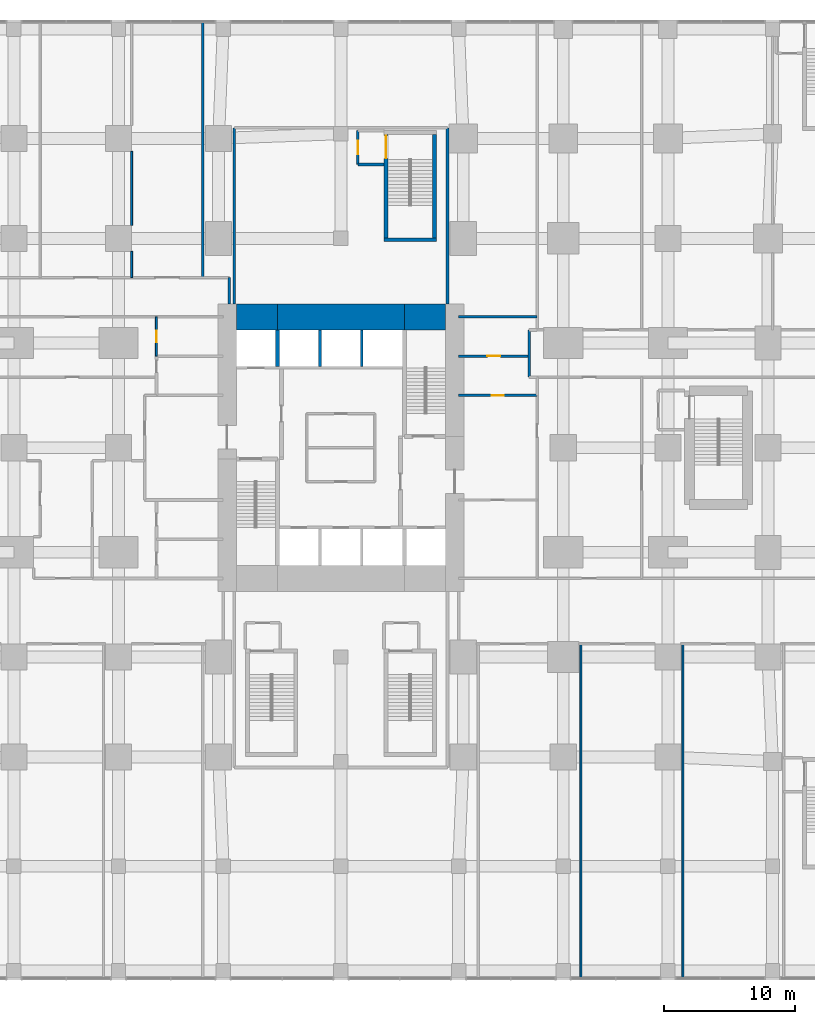
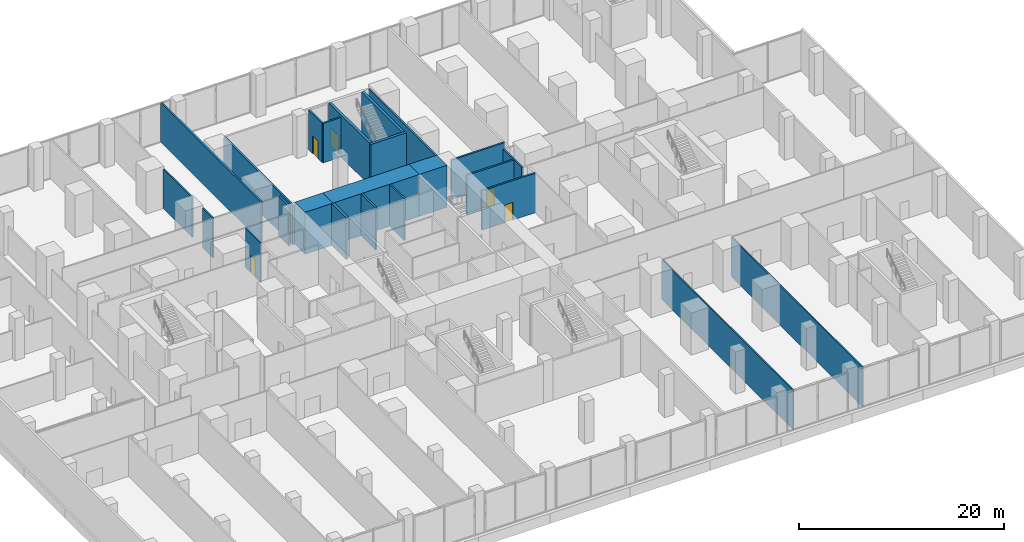
# One storey, part 15 of 22: 24 walls, 5 doors, 5 openings.
"""IFC4 building model written with IfcOpenShell, lengths in metres."""

import ifcopenshell
import ifcopenshell.guid

model = None  # the IFC model being written
_history = None  # IfcOwnerHistory: only IFC2X3 demands one
_inside = {}  # id of a spatial element -> (the spatial element, [elements in it])
_under = {}  # id of a project, library or spatial element -> (it, [spatial elements below it])
_declared = {}  # id of a project -> (the project, [libraries it declares])
_typed = {}  # id of a type object -> (the type object, [elements of that type])
_made_of = {}  # id of a material, layer set ... -> (it, [elements and type objects made of it])


def new_model(schema):
    """Start an empty IFC model of exactly this schema.

    Asked for "IFC4X3", IfcOpenShell would pick the latest addendum, in which some entities
    have other attributes; the version numbers below select the first issue.
    IFC2X3 requires an IfcOwnerHistory on every rooted entity: one is made here for all.
    """
    global model, _history
    if schema == "IFC4X3":
        model = ifcopenshell.file(schema_version=(4, 3, 0, 0))
    else:
        model = ifcopenshell.file(schema=schema)
    _inside.clear()
    _under.clear()
    _declared.clear()
    _typed.clear()
    _made_of.clear()
    _history = None
    if model.schema == "IFC2X3":
        org = make("IfcOrganization", Name="unknown")
        user = make(
            "IfcPersonAndOrganization",
            ThePerson=make("IfcPerson", FamilyName="unknown"),
            TheOrganization=org,
        )
        app = make(
            "IfcApplication",
            ApplicationDeveloper=org,
            Version="unknown",
            ApplicationFullName="unknown",
            ApplicationIdentifier="unknown",
        )
        _history = make(
            "IfcOwnerHistory",
            OwningUser=user,
            OwningApplication=app,
            ChangeAction="ADDED",
            CreationDate=0,
        )
    return model


def make(cls, **values):
    """One entity of the class cls with the attributes given. An attribute that is None is left unset."""
    return model.create_entity(
        cls, **{name: value for name, value in values.items() if value is not None}
    )


def rooted(cls, **values):
    """An entity with a GlobalId (a new one), such as an element, a storey or a relation."""
    return make(cls, GlobalId=ifcopenshell.guid.new(), OwnerHistory=_history, **values)


def si_unit(unit_type, name, prefix=None):
    """IfcSIUnit, for example si_unit("LENGTHUNIT", "METRE", prefix="MILLI")."""
    return make("IfcSIUnit", UnitType=unit_type, Prefix=prefix, Name=name)


def assignment(units):
    """IfcUnitAssignment: the units of a project."""
    return None if units is None else make("IfcUnitAssignment", Units=units)


def point(xyz):
    """IfcCartesianPoint."""
    return None if xyz is None else make("IfcCartesianPoint", Coordinates=xyz)


def direction(xyz):
    """IfcDirection."""
    return None if xyz is None else make("IfcDirection", DirectionRatios=xyz)


def frame(location, z_axis=None, x_axis=None):
    """IfcAxis2Placement3D, a coordinate frame: its origin and axes. An axis left out is left unset."""
    return make(
        "IfcAxis2Placement3D",
        Location=point(location),
        Axis=direction(z_axis),
        RefDirection=direction(x_axis),
    )


def frame_2d(location, x_axis=None):
    """IfcAxis2Placement2D, a coordinate frame in the plane: its origin and x axis."""
    return make(
        "IfcAxis2Placement2D", Location=point(location), RefDirection=direction(x_axis)
    )


def origin():
    """The frame at (0, 0, 0) with its axes left unset."""
    return frame((0.0, 0.0, 0.0))


def place(relative_to, where):
    """IfcLocalPlacement: puts the frame where relative to a parent placement (None: the world)."""
    return make(
        "IfcLocalPlacement", PlacementRelTo=relative_to, RelativePlacement=where
    )


def context(
    kind, dimensions, precision=None, world=None, true_north=None, identifier=None
):
    """IfcGeometricRepresentationContext, for example the 3D "Model" context."""
    return make(
        "IfcGeometricRepresentationContext",
        ContextIdentifier=identifier,
        ContextType=kind,
        CoordinateSpaceDimension=dimensions,
        Precision=precision,
        WorldCoordinateSystem=world,
        TrueNorth=true_north,
    )


def subcontext(parent, identifier, kind, view, scale=None):
    """IfcGeometricRepresentationSubContext, for example "Body" below "Model"."""
    return make(
        "IfcGeometricRepresentationSubContext",
        ContextIdentifier=identifier,
        ContextType=kind,
        ParentContext=parent,
        TargetScale=scale,
        TargetView=view,
    )


def project(units=None, contexts=None):
    """IfcProject with its units and contexts."""
    return rooted(
        "IfcProject",
        Name="project",
        RepresentationContexts=contexts,
        UnitsInContext=assignment(units),
    )


def spatial(cls, under=None, at=None, **own):
    """A site, building, storey or space (cls), placed at a placement, below another one or the project."""
    s = rooted(cls, ObjectPlacement=at, **own)
    if under is not None:
        _under.setdefault(under.id(), (under, []))[1].append(s)
    return s


def profile(cls, at=None, kind="AREA", **sizes):
    """A parametric profile (cls). Its sizes go by their IFC names, for example OverallWidth=200.0."""
    return make(cls, ProfileType=kind, Position=at, **sizes)


def rectangle(**sizes):
    """IfcRectangleProfileDef."""
    return profile("IfcRectangleProfileDef", **sizes)


def extrude(swept, where, along, depth):
    """IfcExtrudedAreaSolid: the profile swept, set in the frame where, extruded along a direction by depth."""
    return make(
        "IfcExtrudedAreaSolid",
        SweptArea=swept,
        Position=where,
        ExtrudedDirection=direction(along),
        Depth=depth,
    )


def shape(context_of_items, identifier, shape_type, items):
    """IfcShapeRepresentation: the items that make up one representation, for example the "Body"."""
    return make(
        "IfcShapeRepresentation",
        ContextOfItems=context_of_items,
        RepresentationIdentifier=identifier,
        RepresentationType=shape_type,
        Items=items,
    )


def material(Name=None, Category=None):
    """IfcMaterial."""
    return make("IfcMaterial", Name=Name, Category=Category)


def layer(
    of_material, thickness, ventilated=None, Name=None, Category=None, Priority=None
):
    """IfcMaterialLayer: one layer of a wall or slab, of a material (None: an air gap)."""
    return make(
        "IfcMaterialLayer",
        Material=of_material,
        LayerThickness=thickness,
        IsVentilated=ventilated,
        Name=Name,
        Category=Category,
        Priority=Priority,
    )


def layer_set(layers, Name=None):
    """IfcMaterialLayerSet."""
    return make("IfcMaterialLayerSet", MaterialLayers=layers, LayerSetName=Name)


def made_of(thing, what):
    """Note that an element or type object is made of a material, layer set ...; save() writes the relation."""
    if what is not None:
        _made_of.setdefault(what.id(), (what, []))[1].append(thing)
    return thing


def type_object(cls, material=None, **own):
    """A type object (cls), such as IfcWallType, which elements share."""
    return made_of(rooted(cls, **own), material)


def element(
    cls,
    number,
    at=None,
    inside=None,
    cuts=None,
    type_object=None,
    material=None,
    context=None,
    identifier="Body",
    shape_type=None,
    held_by="IfcProductDefinitionShape",
    body=None,
    shapes=None,
    **own,
):
    """One element of the class cls, such as IfcWall. Its Tag is "e" and its number.

    at: its placement. inside: the storey or other place that contains it. cuts: it is an
    opening in that element (IfcRelVoidsElement). A single representation is given by context,
    identifier, shape_type and body (its items); several are given by shapes. held_by: the class
    of the entity that holds the representations. save() writes the other relations.
    """
    e = rooted(cls, Tag="e%d" % number, ObjectPlacement=at, **own)
    if body is not None:
        shapes = [shape(context, identifier, shape_type, body)]
    if shapes is not None:
        e.Representation = make(held_by, Representations=shapes)
    if inside is not None:
        _inside.setdefault(inside.id(), (inside, []))[1].append(e)
    if cuts is not None:
        rooted(
            "IfcRelVoidsElement", RelatingBuildingElement=cuts, RelatedOpeningElement=e
        )
    if type_object is not None:
        _typed.setdefault(type_object.id(), (type_object, []))[1].append(e)
    return made_of(e, material)


def fill(opening, filler):
    """IfcRelFillsElement: the door or window that sits in an opening."""
    return rooted(
        "IfcRelFillsElement",
        RelatingOpeningElement=opening,
        RelatedBuildingElement=filler,
    )


def aggregate(whole, parts):
    """IfcRelAggregates: a whole, such as a stair, and the parts it consists of."""
    return rooted("IfcRelAggregates", RelatingObject=whole, RelatedObjects=parts)


def save(model, path):
    """Write the relations noted so far, then the file.

    IfcRelAggregates (storeys below a building ...), IfcRelContainedInSpatialStructure (elements
    in a storey), IfcRelDefinesByType, IfcRelAssociatesMaterial and IfcRelDeclares: one each for
    every whole, place, type object, material and project.
    """
    for whole, parts in _under.values():
        aggregate(whole, parts)
    for where, things in _inside.values():
        rooted(
            "IfcRelContainedInSpatialStructure",
            RelatedElements=things,
            RelatingStructure=where,
        )
    for kind, things in _typed.values():
        rooted("IfcRelDefinesByType", RelatedObjects=things, RelatingType=kind)
    for what, things in _made_of.values():
        rooted("IfcRelAssociatesMaterial", RelatedObjects=things, RelatingMaterial=what)
    for by, libraries in _declared.values():
        rooted("IfcRelDeclares", RelatingContext=by, RelatedDefinitions=libraries)
    model.write(path)


model = new_model("IFC4")

# Units and contexts
model_context = context("Model", 3, precision=1e-05, world=origin(), true_north=direction((0.0, 1.0)))
body_context = subcontext(model_context, "Body", "Model", "MODEL_VIEW")
ifc_project = project(units=[si_unit("LENGTHUNIT", "METRE"), si_unit("AREAUNIT", "SQUARE_METRE"), si_unit("VOLUMEUNIT", "CUBIC_METRE"), si_unit("PLANEANGLEUNIT", "RADIAN"), si_unit("MASSUNIT", "GRAM", prefix="KILO")], contexts=[model_context])

# Site, building, storey
site_placement = place(None, origin())
site = spatial("IfcSite", under=ifc_project, at=site_placement, CompositionType="ELEMENT")
building_placement = place(site_placement, origin())
building = spatial("IfcBuilding", under=site, at=building_placement, Name="Cleftline Residences", CompositionType="ELEMENT")
storey_placement = place(building_placement, frame((0.0, 0.0, 6.0)))
storey = spatial("IfcBuildingStorey", under=building, at=storey_placement, Name="L01", CompositionType="ELEMENT", Elevation=6.0)

# Walls
ifc_material_1 = material(Name="Concrete B70", Category="concrete")
ifc_layer_1 = layer(ifc_material_1, 2.0)
ifc_layer_set_1 = layer_set([ifc_layer_1], Name="CORE WALL 2000")
wall_type_1 = type_object("IfcWallType", Name="CORE WALL 2000", PredefinedType="SHEAR", material=ifc_layer_set_1)
wall_1_placement = place(storey_placement, frame((25.0, 34.0, 0.0), z_axis=(0.0, 0.0, 1.0), x_axis=(1.0, 0.0, 0.0)))
element("IfcWall", 1, at=wall_1_placement, inside=storey, type_object=wall_type_1, Name="Core wall N1", PredefinedType="SHEAR", context=body_context, shape_type="SweptSolid", body=[
    extrude(rectangle(XDim=3.14990234375, YDim=2.0, at=frame_2d((1.574951171875, 0.0))), origin(), (0.0, 0.0, 1.0), 5.0),
])
wall_2_placement = place(storey_placement, frame((28.14990234375, 34.0, 0.0), z_axis=(0.0, 0.0, 1.0), x_axis=(1.0, 0.0, 0.0)))
element("IfcWall", 2, at=wall_2_placement, inside=storey, type_object=wall_type_1, Name="Core wall N2", PredefinedType="SHEAR", context=body_context, shape_type="SweptSolid", body=[
    extrude(rectangle(XDim=9.7001953125, YDim=2.0, at=frame_2d((4.85009765625, 0.0))), origin(), (0.0, 0.0, 1.0), 5.0),
])
wall_3_placement = place(storey_placement, frame((37.85009765625, 34.0, 0.0), z_axis=(0.0, 0.0, 1.0), x_axis=(1.0, 0.0, 0.0)))
element("IfcWall", 3, at=wall_3_placement, inside=storey, type_object=wall_type_1, Name="Core wall N3", PredefinedType="SHEAR", context=body_context, shape_type="SweptSolid", body=[
    extrude(rectangle(XDim=3.14990234375, YDim=2.0, at=frame_2d((1.574951171875, 0.0))), origin(), (0.0, 0.0, 1.0), 5.0),
])
ifc_material_2 = material(Name="Concrete B70", Category="concrete")
ifc_layer_2 = layer(ifc_material_2, 0.300048828125)
ifc_layer_set_2 = layer_set([ifc_layer_2], Name="CORE WALL 300")
wall_type_2 = type_object("IfcWallType", Name="CORE WALL 300", PredefinedType="SHEAR", material=ifc_layer_set_2)
wall_4_placement = place(storey_placement, frame((28.14990234375, 30.199951171875, 0.0), z_axis=(0.0, 0.0, 1.0), x_axis=(0.0, 1.0, 0.0)))
element("IfcWall", 4, at=wall_4_placement, inside=storey, type_object=wall_type_2, Name="Lift shaft wall", PredefinedType="SHEAR", context=body_context, shape_type="SweptSolid", body=[
    extrude(rectangle(XDim=2.800048828125, YDim=0.300048828125, at=frame_2d((1.39990234375, 0.0))), origin(), (0.0, 0.0, 1.0), 5.0),
])

# Wall, opening, door
ifc_material_3 = material(Name="Concrete blockwork, fire rated", Category="masonry")
ifc_layer_3 = layer(ifc_material_3, 0.199951171875)
ifc_layer_set_3 = layer_set([ifc_layer_3], Name="FIRE WALL 200")
wall_type_3 = type_object("IfcWallType", Name="FIRE WALL 200", PredefinedType="PARTITIONING", material=ifc_layer_set_3)
wall_5_placement = place(storey_placement, frame((42.0, 28.0, 0.0), z_axis=(0.0, 0.0, 1.0), x_axis=(1.0, 0.0, 0.0)))
wall_5 = element("IfcWall", 5, at=wall_5_placement, inside=storey, type_object=wall_type_3, Name="Fire separating wall", PredefinedType="PARTITIONING", context=body_context, shape_type="SweptSolid", body=[
    extrude(rectangle(XDim=6.0, YDim=0.199951171875, at=frame_2d((3.0, 0.0))), origin(), (0.0, 0.0, 1.0), 4.699951171875),
])
opening_1_placement = place(wall_5_placement, frame((2.550048828125, 0.0, 0.0)))
opening_1 = element("IfcOpeningElement", 6, at=opening_1_placement, cuts=wall_5, Name="Opening D1F30", PredefinedType="OPENING", context=body_context, shape_type="SweptSolid", body=[
    extrude(rectangle(XDim=0.89990234375, YDim=2.10009765625, at=frame_2d((0.449951171875, 1.050048828125))), frame((0.0, 0.10986328125, 0.0), z_axis=(0.0, -1.0, 0.0), x_axis=(1.0, 0.0, 0.0)), (0.0, 0.0, 1.0), 0.219970703125),
])
ifc_material_4 = material(Name="Timber veneer on solid core", Category="wood")
door_type_1 = type_object("IfcDoorType", Name="DOOR 900X2100 EI 30", OperationType="SINGLE_SWING_LEFT", PredefinedType="DOOR", material=ifc_material_4)
door_1_placement = place(opening_1_placement, origin())
door_1 = element("IfcDoor", 7, at=door_1_placement, inside=storey, type_object=door_type_1, Name="Door to accessible wc east", OperationType="SINGLE_SWING_LEFT", OverallHeight=2.10009765625, OverallWidth=0.89990234375, PredefinedType="DOOR", context=body_context, shape_type="SweptSolid", body=[
    extrude(rectangle(XDim=0.89990234375, YDim=2.10009765625, at=frame_2d((0.449951171875, 1.050048828125))), frame((0.0, 0.02490234375, 0.0), z_axis=(0.0, -1.0, 0.0), x_axis=(1.0, 0.0, 0.0)), (0.0, 0.0, 1.0), 0.050048828125),
])
fill(opening_1, door_1)

wall_6_placement = place(storey_placement, frame((42.0, 31.0, 0.0), z_axis=(0.0, 0.0, 1.0), x_axis=(1.0, 0.0, 0.0)))
wall_6 = element("IfcWall", 8, at=wall_6_placement, inside=storey, type_object=wall_type_3, Name="Fire separating wall", PredefinedType="PARTITIONING", context=body_context, shape_type="SweptSolid", body=[
    extrude(rectangle(XDim=5.39990234375, YDim=0.199951171875, at=frame_2d((2.699951171875, 0.0))), origin(), (0.0, 0.0, 1.0), 4.699951171875),
])
opening_2_placement = place(wall_6_placement, frame((2.199951171875, 0.0, 0.0)))
opening_2 = element("IfcOpeningElement", 9, at=opening_2_placement, cuts=wall_6, Name="Opening D2F60", PredefinedType="OPENING", context=body_context, shape_type="SweptSolid", body=[
    extrude(rectangle(XDim=1.0, YDim=2.10009765625, at=frame_2d((0.5, 1.050048828125))), frame((0.0, 0.10986328125, 0.0), z_axis=(0.0, -1.0, 0.0), x_axis=(1.0, 0.0, 0.0)), (0.0, 0.0, 1.0), 0.219970703125),
])
ifc_material_5 = material(Name="Timber veneer on solid core", Category="wood")
door_type_2 = type_object("IfcDoorType", Name="DOOR 1000X2100 EI 60", OperationType="SINGLE_SWING_LEFT", PredefinedType="DOOR", material=ifc_material_5)
door_2_placement = place(opening_2_placement, origin())
door_2 = element("IfcDoor", 10, at=door_2_placement, inside=storey, type_object=door_type_2, Name="Door to plant room", OperationType="SINGLE_SWING_LEFT", OverallHeight=2.10009765625, OverallWidth=1.0, PredefinedType="DOOR", context=body_context, shape_type="SweptSolid", body=[
    extrude(rectangle(XDim=1.0, YDim=2.10009765625, at=frame_2d((0.5, 1.050048828125))), frame((0.0, 0.02490234375, 0.0), z_axis=(0.0, -1.0, 0.0), x_axis=(1.0, 0.0, 0.0)), (0.0, 0.0, 1.0), 0.050048828125),
])
fill(opening_2, door_2)

# Walls
wall_7_placement = place(storey_placement, frame((42.0, 34.0, 0.0), z_axis=(0.0, 0.0, 1.0), x_axis=(1.0, 0.0, 0.0)))
element("IfcWall", 11, at=wall_7_placement, inside=storey, type_object=wall_type_3, Name="Fire separating wall", PredefinedType="PARTITIONING", context=body_context, shape_type="SweptSolid", body=[
    extrude(rectangle(XDim=6.0, YDim=0.199951171875, at=frame_2d((3.0, 0.0))), origin(), (0.0, 0.0, 1.0), 4.699951171875),
])
wall_8_placement = place(storey_placement, frame((34.300048828125, 45.64990234375, 0.0), z_axis=(0.0, 0.0, 1.0), x_axis=(1.0, 0.0, 0.0)))
element("IfcWall", 12, at=wall_8_placement, inside=storey, type_object=wall_type_3, Name="Fire separating wall", PredefinedType="PARTITIONING", context=body_context, shape_type="SweptSolid", body=[
    extrude(rectangle(XDim=2.0, YDim=0.199951171875, at=frame_2d((1.0, 0.0))), origin(), (0.0, 0.0, 1.0), 4.699951171875),
])
wall_9_placement = place(storey_placement, frame((22.449951171875, 37.0, 0.0), z_axis=(0.0, 0.0, 1.0), x_axis=(0.0, 1.0, 0.0)))
element("IfcWall", 13, at=wall_9_placement, inside=storey, type_object=wall_type_3, Name="Fire separating wall", PredefinedType="PARTITIONING", context=body_context, shape_type="SweptSolid", body=[
    extrude(rectangle(XDim=19.56103515625, YDim=0.199951171875, at=frame_2d((9.780517578125, 0.0))), origin(), (0.0, 0.0, 1.0), 4.699951171875),
])
wall_10_placement = place(storey_placement, frame((24.449951171875, 35.0, 0.0), z_axis=(0.0, 0.0, 1.0), x_axis=(0.0, 1.0, 0.0)))
element("IfcWall", 14, at=wall_10_placement, inside=storey, type_object=wall_type_3, Name="Fire separating wall", PredefinedType="PARTITIONING", context=body_context, shape_type="SweptSolid", body=[
    extrude(rectangle(XDim=2.0, YDim=0.199951171875, at=frame_2d((1.0, 0.0))), origin(), (0.0, 0.0, 1.0), 4.699951171875),
])
wall_11_placement = place(storey_placement, frame((24.85009765625, 35.0, 0.0), z_axis=(0.0, 0.0, 1.0), x_axis=(0.0, 1.0, 0.0)))
element("IfcWall", 15, at=wall_11_placement, inside=storey, type_object=wall_type_3, Name="Fire separating wall", PredefinedType="PARTITIONING", context=body_context, shape_type="SweptSolid", body=[
    extrude(rectangle(XDim=13.449951171875, YDim=0.199951171875, at=frame_2d((6.72509765625, 0.0))), origin(), (0.0, 0.0, 1.0), 4.699951171875),
])

# Wall, opening, door
wall_12_placement = place(storey_placement, frame((34.300048828125, 45.64990234375, 0.0), z_axis=(0.0, 0.0, 1.0), x_axis=(0.0, 1.0, 0.0)))
wall_12 = element("IfcWall", 16, at=wall_12_placement, inside=storey, type_object=wall_type_3, Name="Fire separating wall", PredefinedType="PARTITIONING", context=body_context, shape_type="SweptSolid", body=[
    extrude(rectangle(XDim=2.60009765625, YDim=0.199951171875, at=frame_2d((1.300048828125, 0.0))), origin(), (0.0, 0.0, 1.0), 4.699951171875),
])
opening_3_placement = place(wall_12_placement, frame((0.800048828125, 0.0, 0.0)))
opening_3 = element("IfcOpeningElement", 17, at=opening_3_placement, cuts=wall_12, Name="Opening D2F60", PredefinedType="OPENING", context=body_context, shape_type="SweptSolid", body=[
    extrude(rectangle(XDim=1.0, YDim=2.10009765625, at=frame_2d((0.5, 1.050048828125))), frame((0.0, 0.10986328125, 0.0), z_axis=(0.0, -1.0, 0.0), x_axis=(1.0, 0.0, 0.0)), (0.0, 0.0, 1.0), 0.219970703125),
])
door_3_placement = place(opening_3_placement, origin())
door_3 = element("IfcDoor", 18, at=door_3_placement, inside=storey, type_object=door_type_2, Name="Door to stair d lobby", OperationType="SINGLE_SWING_LEFT", OverallHeight=2.10009765625, OverallWidth=1.0, PredefinedType="DOOR", context=body_context, shape_type="SweptSolid", body=[
    extrude(rectangle(XDim=1.0, YDim=2.10009765625, at=frame_2d((0.5, 1.050048828125))), frame((0.0, 0.02490234375, 0.0), z_axis=(0.0, -1.0, 0.0), x_axis=(1.0, 0.0, 0.0)), (0.0, 0.0, 1.0), 0.050048828125),
])
fill(opening_3, door_3)

# Walls
wall_13_placement = place(storey_placement, frame((41.14990234375, 35.0, 0.0), z_axis=(0.0, 0.0, 1.0), x_axis=(0.0, 1.0, 0.0)))
element("IfcWall", 19, at=wall_13_placement, inside=storey, type_object=wall_type_3, Name="Fire separating wall", PredefinedType="PARTITIONING", context=body_context, shape_type="SweptSolid", body=[
    extrude(rectangle(XDim=13.449951171875, YDim=0.199951171875, at=frame_2d((6.72509765625, 0.0))), origin(), (0.0, 0.0, 1.0), 4.699951171875),
])
wall_14_placement = place(storey_placement, frame((47.39990234375, 29.39990234375, 0.0), z_axis=(0.0, 0.0, 1.0), x_axis=(0.0, 1.0, 0.0)))
element("IfcWall", 20, at=wall_14_placement, inside=storey, type_object=wall_type_3, Name="Fire separating wall", PredefinedType="PARTITIONING", context=body_context, shape_type="SweptSolid", body=[
    extrude(rectangle(XDim=3.60009765625, YDim=0.199951171875, at=frame_2d((1.800048828125, 0.0))), origin(), (0.0, 0.0, 1.0), 4.699951171875),
])
ifc_material_6 = material(Name="Gypsum board on steel studs", Category="steel")
ifc_layer_4 = layer(ifc_material_6, 0.14990234375)
ifc_layer_set_4 = layer_set([ifc_layer_4], Name="PARTITION 150")
wall_type_4 = type_object("IfcWallType", Name="PARTITION 150", PredefinedType="PARTITIONING", material=ifc_layer_set_4)
wall_15_placement = place(storey_placement, frame((17.0, 37.0, 0.0), z_axis=(0.0, 0.0, 1.0), x_axis=(0.0, 1.0, 0.0)))
element("IfcWall", 21, at=wall_15_placement, inside=storey, type_object=wall_type_4, Name="Partition", PredefinedType="PARTITIONING", context=body_context, shape_type="SweptSolid", body=[
    extrude(rectangle(XDim=2.0, YDim=0.14990234375, at=frame_2d((1.0, 0.0))), origin(), (0.0, 0.0, 1.0), 4.699951171875),
])
wall_16_placement = place(storey_placement, frame((17.0, 41.0, 0.0), z_axis=(0.0, 0.0, 1.0), x_axis=(0.0, 1.0, 0.0)))
element("IfcWall", 22, at=wall_16_placement, inside=storey, type_object=wall_type_4, Name="Partition", PredefinedType="PARTITIONING", context=body_context, shape_type="SweptSolid", body=[
    extrude(rectangle(XDim=5.64990234375, YDim=0.14990234375, at=frame_2d((2.824951171875, 0.0))), origin(), (0.0, 0.0, 1.0), 4.699951171875),
])

# Wall, opening, door
wall_17_placement = place(storey_placement, frame((18.89990234375, 31.0, 0.0), z_axis=(0.0, 0.0, 1.0), x_axis=(0.0, 1.0, 0.0)))
wall_17 = element("IfcWall", 23, at=wall_17_placement, inside=storey, type_object=wall_type_4, Name="Partition", PredefinedType="PARTITIONING", context=body_context, shape_type="SweptSolid", body=[
    extrude(rectangle(XDim=3.0, YDim=0.14990234375, at=frame_2d((1.5, 0.0))), origin(), (0.0, 0.0, 1.0), 4.699951171875),
])
opening_4_placement = place(wall_17_placement, frame((1.050048828125, 0.0, 0.0)))
opening_4 = element("IfcOpeningElement", 24, at=opening_4_placement, cuts=wall_17, Name="Opening D1", PredefinedType="OPENING", context=body_context, shape_type="SweptSolid", body=[
    extrude(rectangle(XDim=0.89990234375, YDim=2.10009765625, at=frame_2d((0.449951171875, 1.050048828125))), frame((0.0, 0.0849609375, 0.0), z_axis=(0.0, -1.0, 0.0), x_axis=(1.0, 0.0, 0.0)), (0.0, 0.0, 1.0), 0.169921875),
])
ifc_material_7 = material(Name="Timber veneer on solid core", Category="wood")
door_type_3 = type_object("IfcDoorType", Name="DOOR 900X2100", OperationType="SINGLE_SWING_LEFT", PredefinedType="DOOR", material=ifc_material_7)
door_4_placement = place(opening_4_placement, origin())
door_4 = element("IfcDoor", 25, at=door_4_placement, inside=storey, type_object=door_type_3, Name="Door to cleaner's store", OperationType="SINGLE_SWING_LEFT", OverallHeight=2.10009765625, OverallWidth=0.89990234375, PredefinedType="DOOR", context=body_context, shape_type="SweptSolid", body=[
    extrude(rectangle(XDim=0.89990234375, YDim=2.10009765625, at=frame_2d((0.449951171875, 1.050048828125))), frame((0.0, 0.02490234375, 0.0), z_axis=(0.0, -1.0, 0.0), x_axis=(1.0, 0.0, 0.0)), (0.0, 0.0, 1.0), 0.050048828125),
])
fill(opening_4, door_4)

# Walls
for number, where, z_axis, x_axis, name in (
    (26, (51.35009765625, -16.56103515625, 0.0), (0.0, 0.0, 1.0), (0.0, 1.0, 0.0), "Partition"),
    (27, (59.14990234375, -16.56103515625, 0.0), (0.0, 0.0, 1.0), (0.0, 1.0, 0.0), "Partition"),
):
    element("IfcWall", number, at=place(storey_placement, frame(where, z_axis=z_axis, x_axis=x_axis)), inside=storey, type_object=wall_type_4, Name=name, PredefinedType="PARTITIONING", context=body_context, shape_type="SweptSolid", body=[
        extrude(rectangle(XDim=25.56103515625, YDim=0.14990234375, at=frame_2d((12.780517578125, 0.0))), origin(), (0.0, 0.0, 1.0), 4.699951171875),
    ])
ifc_material_8 = material(Name="Concrete blockwork, fire rated", Category="masonry")
ifc_layer_5 = layer(ifc_material_8, 0.199951171875)
ifc_layer_set_5 = layer_set([ifc_layer_5], Name="SHAFT WALL 200")
wall_type_5 = type_object("IfcWallType", Name="SHAFT WALL 200", PredefinedType="PARTITIONING", material=ifc_layer_set_5)
for number, where, z_axis, x_axis, name in (
    (28, (31.39990234375, 30.199951171875, 0.0), (0.0, 0.0, 1.0), (0.0, 1.0, 0.0), "Lift shaft wall"),
    (29, (34.60009765625, 30.199951171875, 0.0), (0.0, 0.0, 1.0), (0.0, 1.0, 0.0), "Lift shaft wall"),
):
    element("IfcWall", number, at=place(storey_placement, frame(where, z_axis=z_axis, x_axis=x_axis)), inside=storey, type_object=wall_type_5, Name=name, PredefinedType="PARTITIONING", context=body_context, shape_type="SweptSolid", body=[
        extrude(rectangle(XDim=2.800048828125, YDim=0.199951171875, at=frame_2d((1.39990234375, 0.0))), origin(), (0.0, 0.0, 1.0), 5.0),
    ])
ifc_material_9 = material(Name="Concrete blockwork, fire rated", Category="masonry")
ifc_layer_6 = layer(ifc_material_9, 0.300048828125)
ifc_layer_set_6 = layer_set([ifc_layer_6], Name="STAIR ENCLOSURE WALL 300")
wall_type_6 = type_object("IfcWallType", Name="STAIR ENCLOSURE WALL 300", PredefinedType="PARTITIONING", material=ifc_layer_set_6)
wall_18_placement = place(storey_placement, frame((36.300048828125, 39.89990234375, 0.0), z_axis=(0.0, 0.0, 1.0), x_axis=(1.0, 0.0, 0.0)))
element("IfcWall", 30, at=wall_18_placement, inside=storey, type_object=wall_type_6, Name="Stair D enclosure", PredefinedType="PARTITIONING", context=body_context, shape_type="SweptSolid", body=[
    extrude(rectangle(XDim=4.0, YDim=0.300048828125, at=frame_2d((2.0, 0.0))), origin(), (0.0, 0.0, 1.0), 5.0),
])

# Wall, opening, door
wall_19_placement = place(storey_placement, frame((36.449951171875, 40.050048828125, 0.0), z_axis=(0.0, 0.0, 1.0), x_axis=(0.0, 1.0, 0.0)))
wall_19 = element("IfcWall", 31, at=wall_19_placement, inside=storey, type_object=wall_type_6, Name="Stair D enclosure", PredefinedType="PARTITIONING", context=body_context, shape_type="SweptSolid", body=[
    extrude(rectangle(XDim=7.89990234375, YDim=0.300048828125, at=frame_2d((3.949951171875, 0.0))), origin(), (0.0, 0.0, 1.0), 5.0),
])
opening_5_placement = place(wall_19_placement, frame((6.070068359375, 0.0, 0.0)))
opening_5 = element("IfcOpeningElement", 32, at=opening_5_placement, cuts=wall_19, Name="Opening D11", PredefinedType="OPENING", context=body_context, shape_type="SweptSolid", body=[
    extrude(rectangle(XDim=1.72998046875, YDim=2.10009765625, at=frame_2d((0.864990234375, 1.050048828125))), frame((0.0, 0.159912109375, 0.0), z_axis=(0.0, -1.0, 0.0), x_axis=(1.0, 0.0, 0.0)), (0.0, 0.0, 1.0), 0.320068359375),
])
ifc_material_10 = material(Name="Steel", Category="steel")
door_type_4 = type_object("IfcDoorType", Name="STAIR DOOR 1730X2100", OperationType="DOUBLE_DOOR_SINGLE_SWING", PredefinedType="DOOR", material=ifc_material_10)
door_5_placement = place(opening_5_placement, origin())
door_5 = element("IfcDoor", 33, at=door_5_placement, inside=storey, type_object=door_type_4, Name="Stair D door", OperationType="DOUBLE_DOOR_SINGLE_SWING", OverallHeight=2.10009765625, OverallWidth=1.72998046875, PredefinedType="DOOR", context=body_context, shape_type="SweptSolid", body=[
    extrude(rectangle(XDim=1.72998046875, YDim=2.10009765625, at=frame_2d((0.864990234375, 1.050048828125))), frame((0.0, 0.02490234375, 0.0), z_axis=(0.0, -1.0, 0.0), x_axis=(1.0, 0.0, 0.0)), (0.0, 0.0, 1.0), 0.050048828125),
])
fill(opening_5, door_5)

# Wall
wall_20_placement = place(storey_placement, frame((40.14990234375, 40.050048828125, 0.0), z_axis=(0.0, 0.0, 1.0), x_axis=(0.0, 1.0, 0.0)))
element("IfcWall", 34, at=wall_20_placement, inside=storey, type_object=wall_type_6, Name="Stair D enclosure", PredefinedType="PARTITIONING", context=body_context, shape_type="SweptSolid", body=[
    extrude(rectangle(XDim=7.89990234375, YDim=0.300048828125, at=frame_2d((3.949951171875, 0.0))), origin(), (0.0, 0.0, 1.0), 5.0),
])

save(model, "model.ifc")
